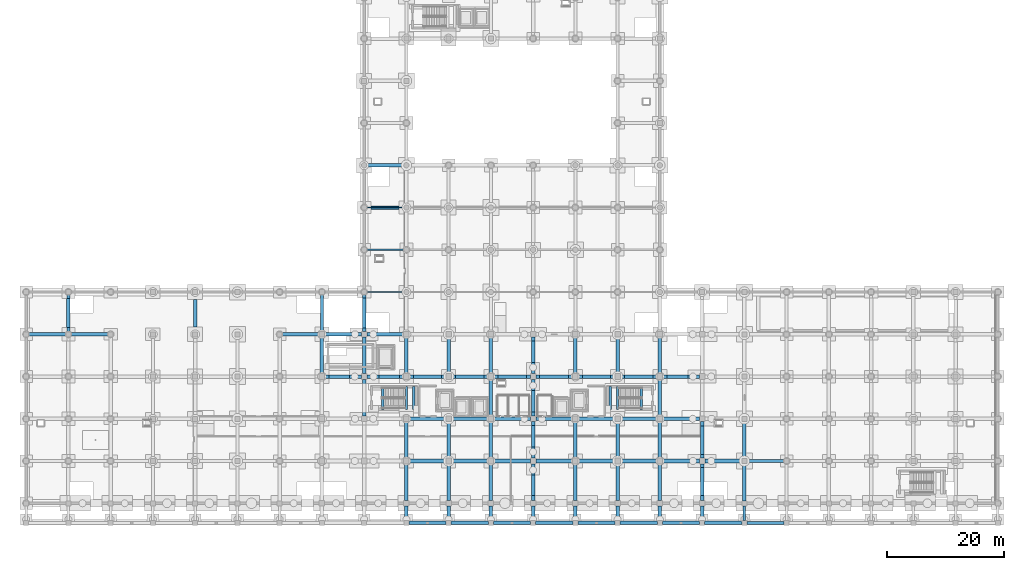
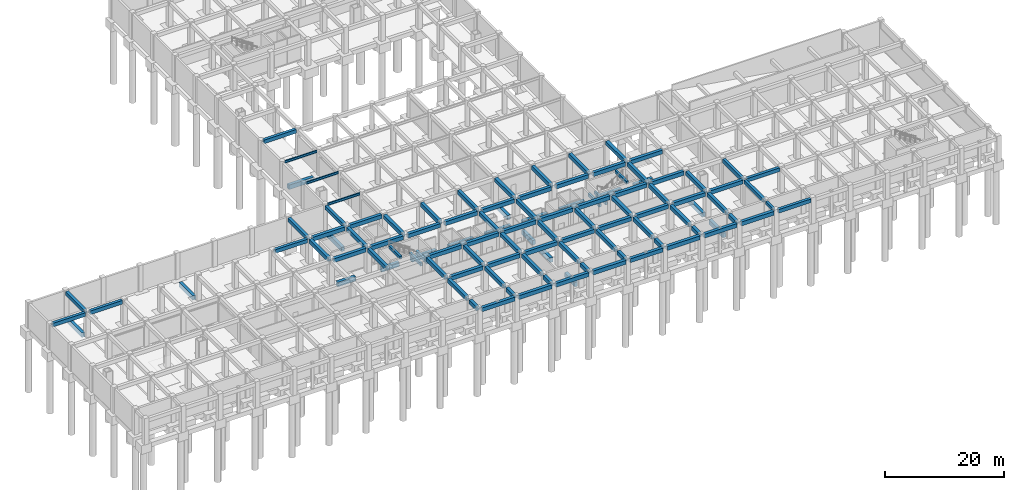
# One storey, part 9 of 26: 111 beams.
"""IFC4 building model written with IfcOpenShell, lengths in metres."""

from ifc_helpers import new_model, si_unit, direction, frame, origin, origin_2d, place, context, subcontext, project, spatial, rectangle, i_section, extrude, material, material_profile, profile_set, type_object, element, save


model = new_model("IFC4")

# Units and contexts
model_context = context("Model", 3, precision=1e-05, world=origin(), true_north=direction((0.0, 1.0)))
body_context = subcontext(model_context, "Body", "Model", "MODEL_VIEW")
ifc_project = project(units=[si_unit("LENGTHUNIT", "METRE"), si_unit("AREAUNIT", "SQUARE_METRE"), si_unit("VOLUMEUNIT", "CUBIC_METRE"), si_unit("PLANEANGLEUNIT", "RADIAN"), si_unit("MASSUNIT", "GRAM", prefix="KILO")], contexts=[model_context])

# Site, building, storey
site_placement = place(None, origin())
site = spatial("IfcSite", under=ifc_project, at=site_placement, CompositionType="ELEMENT")
building_placement = place(site_placement, origin())
building = spatial("IfcBuilding", under=site, at=building_placement, Name="Kazehaya Institute of Natural Sciences", CompositionType="ELEMENT")
storey_placement = place(building_placement, frame((0.0, 0.0, -5.39990234375)))
storey = spatial("IfcBuildingStorey", under=building, at=storey_placement, Name="B1", CompositionType="ELEMENT", Elevation=-5.39990234375)

# Beams
ifc_material_1 = material(Name="Concrete Fc36", Category="concrete")
ifc_material_profile_1 = material_profile(ifc_material_1, rectangle(XDim=0.39990234375, YDim=0.60009765625, at=origin_2d()), Name="RC-400x600")
ifc_profile_set_1 = profile_set([ifc_material_profile_1], Name="Concrete Fc36")
beam_type_1 = type_object("IfcBeamType", Name="BM-B-400x600", PredefinedType="BEAM", material=ifc_profile_set_1)
beam_1_placement = place(storey_placement, frame((126.60009765625, 3.875, 4.81982421875), z_axis=(0.0, 1.0, 0.0), x_axis=(-1.0, 0.0, 0.0)))
element("IfcBeam", 1, at=beam_1_placement, inside=storey, type_object=beam_type_1, Name="B1 primary Y girder BMY-B1-1266-34", PredefinedType="BEAM", context=body_context, shape_type="SweptSolid", body=[
    extrude(rectangle(XDim=0.39990234375, YDim=0.60009765625, at=origin_2d()), origin(), (0.0, 0.0, 1.0), 2.5),
])
for number, where, z_axis, x_axis, name in (
    (2, (65.0, 22.820068359375, 5.099853515625), (0.0, 1.0, 0.0), (-1.0, 0.0, 0.0), "L00 ST-1 stair header trimmer beam"),
    (3, (69.030029296875, 22.820068359375, 2.239990234375), (0.0, 1.0, 0.0), (-1.0, 0.0, 0.0), "B1 ST-1 landing beam 1"),
    (4, (70.25, 22.820068359375, 2.239990234375), (0.0, 1.0, 0.0), (-1.0, 0.0, 0.0), "B1 ST-1 landing beam 2"),
    (5, (109.0, 22.820068359375, 5.099853515625), (0.0, 1.0, 0.0), (-1.0, 0.0, 0.0), "L00 ST-2 stair header trimmer beam"),
    (6, (103.75, 22.820068359375, 2.239990234375), (0.0, 1.0, 0.0), (-1.0, 0.0, 0.0), "B1 ST-2 landing beam 1"),
    (7, (104.969970703125, 22.820068359375, 2.239990234375), (0.0, 1.0, 0.0), (-1.0, 0.0, 0.0), "B1 ST-2 landing beam 2"),
):
    element("IfcBeam", number, at=place(storey_placement, frame(where, z_axis=z_axis, x_axis=x_axis)), inside=storey, type_object=beam_type_1, Name=name, PredefinedType="BEAM", context=body_context, shape_type="SweptSolid", body=[
        extrude(rectangle(XDim=0.39990234375, YDim=0.60009765625, at=origin_2d()), origin(), (0.0, 0.0, 1.0), 3.83984375),
    ])
ifc_material_profile_2 = material_profile(ifc_material_1, rectangle(XDim=0.550048828125, YDim=0.75, at=origin_2d()), Name="RC-550x750")
ifc_profile_set_2 = profile_set([ifc_material_profile_2], Name="Concrete Fc36")
beam_type_2 = type_object("IfcBeamType", Name="BM-G-550x750", PredefinedType="BEAM", material=ifc_profile_set_2)
for number, where, z_axis, x_axis, name in (
    (8, (127.02490234375, 3.449951171875, 4.744873046875), (1.0, 0.0, 0.0), (0.0, 1.0, 0.0), "B1 primary X girder BMX-B1-1266-34"),
    (9, (127.02490234375, 14.0, 4.744873046875), (1.0, 0.0, 0.0), (0.0, 1.0, 0.0), "B1 primary X girder BMX-B1-1266-140"),
    (10, (4.625, 35.60009765625, 4.744873046875), (1.0, 0.0, 0.0), (0.0, 1.0, 0.0), "B1 primary X girder BMX-B1-42-356"),
    (11, (11.824951171875, 35.60009765625, 4.744873046875), (1.0, 0.0, 0.0), (0.0, 1.0, 0.0), "B1 primary X girder BMX-B1-114-356"),
):
    element("IfcBeam", number, at=place(storey_placement, frame(where, z_axis=z_axis, x_axis=x_axis)), inside=storey, type_object=beam_type_2, Name=name, PredefinedType="BEAM", context=body_context, shape_type="SweptSolid", body=[
        extrude(rectangle(XDim=0.550048828125, YDim=0.75, at=origin_2d()), origin(), (0.0, 0.0, 1.0), 6.35009765625),
    ])
for number, where, z_axis, x_axis, name in (
    (12, (47.824951171875, 35.60009765625, 4.744873046875), (1.0, 0.0, 0.0), (0.0, 1.0, 0.0), "B1 primary X girder BMX-B1-474-356"),
    (13, (62.25, 64.39990234375, 4.744873046875), (1.0, 0.0, 0.0), (0.0, 1.0, 0.0), "B1 primary X girder BMX-B1-618-644"),
):
    element("IfcBeam", number, at=place(storey_placement, frame(where, z_axis=z_axis, x_axis=x_axis)), inside=storey, type_object=beam_type_2, Name=name, PredefinedType="BEAM", context=body_context, shape_type="SweptSolid", body=[
        extrude(rectangle(XDim=0.550048828125, YDim=0.75, at=origin_2d()), origin(), (0.0, 0.0, 1.0), 6.300048828125),
    ])
beam_2_placement = place(storey_placement, frame((11.39990234375, 36.02490234375, 4.744873046875), z_axis=(0.0, 1.0, 0.0), x_axis=(-1.0, 0.0, 0.0)))
element("IfcBeam", 14, at=beam_2_placement, inside=storey, type_object=beam_type_2, Name="B1 primary Y girder BMY-B1-114-356", PredefinedType="BEAM", context=body_context, shape_type="SweptSolid", body=[
    extrude(rectangle(XDim=0.550048828125, YDim=0.75, at=origin_2d()), origin(), (0.0, 0.0, 1.0), 6.35009765625),
])
beam_3_placement = place(storey_placement, frame((54.60009765625, 36.074951171875, 4.744873046875), z_axis=(0.0, 1.0, 0.0), x_axis=(-1.0, 0.0, 0.0)))
element("IfcBeam", 15, at=beam_3_placement, inside=storey, type_object=beam_type_2, Name="B1 primary Y girder BMY-B1-546-356", PredefinedType="BEAM", context=body_context, shape_type="SweptSolid", body=[
    extrude(rectangle(XDim=0.550048828125, YDim=0.75, at=origin_2d()), origin(), (0.0, 0.0, 1.0), 6.300048828125),
])
beam_4_placement = place(storey_placement, frame((61.800048828125, 36.074951171875, 4.744873046875), z_axis=(0.0, 1.0, 0.0), x_axis=(-1.0, 0.0, 0.0)))
element("IfcBeam", 16, at=beam_4_placement, inside=storey, type_object=beam_type_2, Name="B1 primary Y girder BMY-B1-618-356", PredefinedType="BEAM", context=body_context, shape_type="SweptSolid", body=[
    extrude(rectangle(XDim=0.550048828125, YDim=0.75, at=origin_2d()), origin(), (0.0, 0.0, 1.0), 6.275146484375),
])
for number, where, z_axis, x_axis, name in (
    (17, (126.60009765625, 7.22509765625, 4.744873046875), (0.0, 1.0, 0.0), (-1.0, 0.0, 0.0), "B1 primary Y girder BMY-B1-1266-68"),
    (18, (126.60009765625, 14.425048828125, 4.744873046875), (0.0, 1.0, 0.0), (-1.0, 0.0, 0.0), "B1 primary Y girder BMY-B1-1266-140"),
):
    element("IfcBeam", number, at=place(storey_placement, frame(where, z_axis=z_axis, x_axis=x_axis)), inside=storey, type_object=beam_type_2, Name=name, PredefinedType="BEAM", context=body_context, shape_type="SweptSolid", body=[
        extrude(rectangle(XDim=0.550048828125, YDim=0.75, at=origin_2d()), origin(), (0.0, 0.0, 1.0), 6.349853515625),
    ])
ifc_material_profile_3 = material_profile(ifc_material_1, rectangle(XDim=0.60009765625, YDim=0.800048828125, at=origin_2d()), Name="RC-600x800")
ifc_profile_set_3 = profile_set([ifc_material_profile_3], Name="Concrete Fc36")
beam_type_3 = type_object("IfcBeamType", Name="BM-G-600x800", PredefinedType="BEAM", material=ifc_profile_set_3)
beam_5_placement = place(storey_placement, frame((69.425048828125, 3.449951171875, 4.719970703125), z_axis=(1.0, 0.0, 0.0), x_axis=(0.0, 1.0, 0.0)))
element("IfcBeam", 19, at=beam_5_placement, inside=storey, type_object=beam_type_3, Name="B1 primary X girder BMX-B1-690-34", PredefinedType="BEAM", context=body_context, shape_type="SweptSolid", body=[
    extrude(rectangle(XDim=0.60009765625, YDim=0.800048828125, at=origin_2d()), origin(), (0.0, 0.0, 1.0), 6.349853515625),
])
for number, where, z_axis, x_axis, name in (
    (20, (76.625, 3.449951171875, 4.719970703125), (1.0, 0.0, 0.0), (0.0, 1.0, 0.0), "B1 primary X girder BMX-B1-762-34"),
    (21, (83.824951171875, 3.449951171875, 4.719970703125), (1.0, 0.0, 0.0), (0.0, 1.0, 0.0), "B1 primary X girder BMX-B1-834-34"),
    (22, (91.02490234375, 3.449951171875, 4.719970703125), (1.0, 0.0, 0.0), (0.0, 1.0, 0.0), "B1 primary X girder BMX-B1-906-34"),
):
    element("IfcBeam", number, at=place(storey_placement, frame(where, z_axis=z_axis, x_axis=x_axis)), inside=storey, type_object=beam_type_3, Name=name, PredefinedType="BEAM", context=body_context, shape_type="SweptSolid", body=[
        extrude(rectangle(XDim=0.60009765625, YDim=0.800048828125, at=origin_2d()), origin(), (0.0, 0.0, 1.0), 6.35009765625),
    ])
for number, where, z_axis, x_axis, name in (
    (23, (98.22509765625, 3.449951171875, 4.719970703125), (1.0, 0.0, 0.0), (0.0, 1.0, 0.0), "B1 primary X girder BMX-B1-978-34"),
    (24, (105.425048828125, 3.449951171875, 4.719970703125), (1.0, 0.0, 0.0), (0.0, 1.0, 0.0), "B1 primary X girder BMX-B1-1050-34"),
):
    element("IfcBeam", number, at=place(storey_placement, frame(where, z_axis=z_axis, x_axis=x_axis)), inside=storey, type_object=beam_type_3, Name=name, PredefinedType="BEAM", context=body_context, shape_type="SweptSolid", body=[
        extrude(rectangle(XDim=0.60009765625, YDim=0.800048828125, at=origin_2d()), origin(), (0.0, 0.0, 1.0), 6.349853515625),
    ])
for number, where, z_axis, x_axis, name in (
    (25, (112.625, 3.449951171875, 4.719970703125), (1.0, 0.0, 0.0), (0.0, 1.0, 0.0), "B1 primary X girder BMX-B1-1122-34"),
    (26, (119.824951171875, 3.449951171875, 4.719970703125), (1.0, 0.0, 0.0), (0.0, 1.0, 0.0), "B1 primary X girder BMX-B1-1194-34"),
):
    element("IfcBeam", number, at=place(storey_placement, frame(where, z_axis=z_axis, x_axis=x_axis)), inside=storey, type_object=beam_type_3, Name=name, PredefinedType="BEAM", context=body_context, shape_type="SweptSolid", body=[
        extrude(rectangle(XDim=0.60009765625, YDim=0.800048828125, at=origin_2d()), origin(), (0.0, 0.0, 1.0), 6.35009765625),
    ])
for number, where, z_axis, x_axis, name in (
    (27, (69.47509765625, 14.0, 4.719970703125), (1.0, 0.0, 0.0), (0.0, 1.0, 0.0), "B1 primary X girder BMX-B1-690-140"),
    (28, (76.675048828125, 14.0, 4.719970703125), (1.0, 0.0, 0.0), (0.0, 1.0, 0.0), "B1 primary X girder BMX-B1-762-140"),
    (29, (83.875, 14.0, 4.719970703125), (1.0, 0.0, 0.0), (0.0, 1.0, 0.0), "B1 primary X girder BMX-B1-834-140"),
    (30, (91.074951171875, 14.0, 4.719970703125), (1.0, 0.0, 0.0), (0.0, 1.0, 0.0), "B1 primary X girder BMX-B1-906-140"),
    (31, (98.27490234375, 14.0, 4.719970703125), (1.0, 0.0, 0.0), (0.0, 1.0, 0.0), "B1 primary X girder BMX-B1-978-140"),
    (32, (105.47509765625, 14.0, 4.719970703125), (1.0, 0.0, 0.0), (0.0, 1.0, 0.0), "B1 primary X girder BMX-B1-1050-140"),
    (33, (112.675048828125, 14.0, 4.719970703125), (1.0, 0.0, 0.0), (0.0, 1.0, 0.0), "B1 primary X girder BMX-B1-1122-140"),
):
    element("IfcBeam", number, at=place(storey_placement, frame(where, z_axis=z_axis, x_axis=x_axis)), inside=storey, type_object=beam_type_3, Name=name, PredefinedType="BEAM", context=body_context, shape_type="SweptSolid", body=[
        extrude(rectangle(XDim=0.60009765625, YDim=0.800048828125, at=origin_2d()), origin(), (0.0, 0.0, 1.0), 6.25),
    ])
beam_6_placement = place(storey_placement, frame((119.875, 14.0, 4.719970703125), z_axis=(1.0, 0.0, 0.0), x_axis=(0.0, 1.0, 0.0)))
element("IfcBeam", 34, at=beam_6_placement, inside=storey, type_object=beam_type_3, Name="B1 primary X girder BMX-B1-1194-140", PredefinedType="BEAM", context=body_context, shape_type="SweptSolid", body=[
    extrude(rectangle(XDim=0.60009765625, YDim=0.800048828125, at=origin_2d()), origin(), (0.0, 0.0, 1.0), 6.300048828125),
])
for number, where, z_axis, x_axis, name in (
    (35, (69.47509765625, 21.199951171875, 4.719970703125), (1.0, 0.0, 0.0), (0.0, 1.0, 0.0), "B1 primary X girder BMX-B1-690-212"),
    (36, (76.675048828125, 21.199951171875, 4.719970703125), (1.0, 0.0, 0.0), (0.0, 1.0, 0.0), "B1 primary X girder BMX-B1-762-212"),
    (37, (83.875, 21.199951171875, 4.719970703125), (1.0, 0.0, 0.0), (0.0, 1.0, 0.0), "B1 primary X girder BMX-B1-834-212"),
    (38, (91.074951171875, 21.199951171875, 4.719970703125), (1.0, 0.0, 0.0), (0.0, 1.0, 0.0), "B1 primary X girder BMX-B1-906-212"),
    (39, (98.27490234375, 21.199951171875, 4.719970703125), (1.0, 0.0, 0.0), (0.0, 1.0, 0.0), "B1 primary X girder BMX-B1-978-212"),
    (40, (105.47509765625, 21.199951171875, 4.719970703125), (1.0, 0.0, 0.0), (0.0, 1.0, 0.0), "B1 primary X girder BMX-B1-1050-212"),
    (41, (112.675048828125, 21.199951171875, 4.719970703125), (1.0, 0.0, 0.0), (0.0, 1.0, 0.0), "B1 primary X girder BMX-B1-1122-212"),
    (42, (55.074951171875, 28.39990234375, 4.719970703125), (1.0, 0.0, 0.0), (0.0, 1.0, 0.0), "B1 primary X girder BMX-B1-546-284"),
    (43, (62.27490234375, 28.39990234375, 4.719970703125), (1.0, 0.0, 0.0), (0.0, 1.0, 0.0), "B1 primary X girder BMX-B1-618-284"),
    (44, (69.47509765625, 28.39990234375, 4.719970703125), (1.0, 0.0, 0.0), (0.0, 1.0, 0.0), "B1 primary X girder BMX-B1-690-284"),
    (45, (76.675048828125, 28.39990234375, 4.719970703125), (1.0, 0.0, 0.0), (0.0, 1.0, 0.0), "B1 primary X girder BMX-B1-762-284"),
    (46, (83.875, 28.39990234375, 4.719970703125), (1.0, 0.0, 0.0), (0.0, 1.0, 0.0), "B1 primary X girder BMX-B1-834-284"),
    (47, (91.074951171875, 28.39990234375, 4.719970703125), (1.0, 0.0, 0.0), (0.0, 1.0, 0.0), "B1 primary X girder BMX-B1-906-284"),
    (48, (98.27490234375, 28.39990234375, 4.719970703125), (1.0, 0.0, 0.0), (0.0, 1.0, 0.0), "B1 primary X girder BMX-B1-978-284"),
    (49, (105.47509765625, 28.39990234375, 4.719970703125), (1.0, 0.0, 0.0), (0.0, 1.0, 0.0), "B1 primary X girder BMX-B1-1050-284"),
    (50, (112.675048828125, 28.39990234375, 4.719970703125), (1.0, 0.0, 0.0), (0.0, 1.0, 0.0), "B1 primary X girder BMX-B1-1122-284"),
    (51, (55.074951171875, 35.60009765625, 4.719970703125), (1.0, 0.0, 0.0), (0.0, 1.0, 0.0), "B1 primary X girder BMX-B1-546-356"),
    (52, (62.27490234375, 35.60009765625, 4.719970703125), (1.0, 0.0, 0.0), (0.0, 1.0, 0.0), "B1 primary X girder BMX-B1-618-356"),
    (53, (54.60009765625, 28.875, 4.719970703125), (0.0, 1.0, 0.0), (-1.0, 0.0, 0.0), "B1 primary Y girder BMY-B1-546-284"),
    (54, (61.800048828125, 21.675048828125, 4.719970703125), (0.0, 1.0, 0.0), (-1.0, 0.0, 0.0), "B1 primary Y girder BMY-B1-618-212"),
    (55, (61.800048828125, 28.875, 4.719970703125), (0.0, 1.0, 0.0), (-1.0, 0.0, 0.0), "B1 primary Y girder BMY-B1-618-284"),
):
    element("IfcBeam", number, at=place(storey_placement, frame(where, z_axis=z_axis, x_axis=x_axis)), inside=storey, type_object=beam_type_3, Name=name, PredefinedType="BEAM", context=body_context, shape_type="SweptSolid", body=[
        extrude(rectangle(XDim=0.60009765625, YDim=0.800048828125, at=origin_2d()), origin(), (0.0, 0.0, 1.0), 6.25),
    ])
beam_7_placement = place(storey_placement, frame((69.0, 3.875, 4.719970703125), z_axis=(0.0, 1.0, 0.0), x_axis=(-1.0, 0.0, 0.0)))
element("IfcBeam", 56, at=beam_7_placement, inside=storey, type_object=beam_type_3, Name="B1 primary Y girder BMY-B1-690-34", PredefinedType="BEAM", context=body_context, shape_type="SweptSolid", body=[
    extrude(rectangle(XDim=0.60009765625, YDim=0.800048828125, at=origin_2d()), origin(), (0.0, 0.0, 1.0), 2.449951171875),
])
for number, where, z_axis, x_axis, name in (
    (57, (69.0, 7.27490234375, 4.719970703125), (0.0, 1.0, 0.0), (-1.0, 0.0, 0.0), "B1 primary Y girder BMY-B1-690-68"),
    (58, (69.0, 14.47509765625, 4.719970703125), (0.0, 1.0, 0.0), (-1.0, 0.0, 0.0), "B1 primary Y girder BMY-B1-690-140"),
    (59, (69.0, 28.875, 4.719970703125), (0.0, 1.0, 0.0), (-1.0, 0.0, 0.0), "B1 primary Y girder BMY-B1-690-284"),
):
    element("IfcBeam", number, at=place(storey_placement, frame(where, z_axis=z_axis, x_axis=x_axis)), inside=storey, type_object=beam_type_3, Name=name, PredefinedType="BEAM", context=body_context, shape_type="SweptSolid", body=[
        extrude(rectangle(XDim=0.60009765625, YDim=0.800048828125, at=origin_2d()), origin(), (0.0, 0.0, 1.0), 6.25),
    ])
beam_8_placement = place(storey_placement, frame((76.199951171875, 3.875, 4.719970703125), z_axis=(0.0, 1.0, 0.0), x_axis=(-1.0, 0.0, 0.0)))
element("IfcBeam", 60, at=beam_8_placement, inside=storey, type_object=beam_type_3, Name="B1 primary Y girder BMY-B1-762-34", PredefinedType="BEAM", context=body_context, shape_type="SweptSolid", body=[
    extrude(rectangle(XDim=0.60009765625, YDim=0.800048828125, at=origin_2d()), origin(), (0.0, 0.0, 1.0), 2.449951171875),
])
for number, where, z_axis, x_axis, name in (
    (61, (76.199951171875, 7.27490234375, 4.719970703125), (0.0, 1.0, 0.0), (-1.0, 0.0, 0.0), "B1 primary Y girder BMY-B1-762-68"),
    (62, (76.199951171875, 14.47509765625, 4.719970703125), (0.0, 1.0, 0.0), (-1.0, 0.0, 0.0), "B1 primary Y girder BMY-B1-762-140"),
    (63, (76.199951171875, 28.875, 4.719970703125), (0.0, 1.0, 0.0), (-1.0, 0.0, 0.0), "B1 primary Y girder BMY-B1-762-284"),
):
    element("IfcBeam", number, at=place(storey_placement, frame(where, z_axis=z_axis, x_axis=x_axis)), inside=storey, type_object=beam_type_3, Name=name, PredefinedType="BEAM", context=body_context, shape_type="SweptSolid", body=[
        extrude(rectangle(XDim=0.60009765625, YDim=0.800048828125, at=origin_2d()), origin(), (0.0, 0.0, 1.0), 6.25),
    ])
beam_9_placement = place(storey_placement, frame((83.39990234375, 3.875, 4.719970703125), z_axis=(0.0, 1.0, 0.0), x_axis=(-1.0, 0.0, 0.0)))
element("IfcBeam", 64, at=beam_9_placement, inside=storey, type_object=beam_type_3, Name="B1 primary Y girder BMY-B1-834-34", PredefinedType="BEAM", context=body_context, shape_type="SweptSolid", body=[
    extrude(rectangle(XDim=0.60009765625, YDim=0.800048828125, at=origin_2d()), origin(), (0.0, 0.0, 1.0), 2.449951171875),
])
for number, where, z_axis, x_axis, name in (
    (65, (83.39990234375, 7.27490234375, 4.719970703125), (0.0, 1.0, 0.0), (-1.0, 0.0, 0.0), "B1 primary Y girder BMY-B1-834-68"),
    (66, (83.39990234375, 14.47509765625, 4.719970703125), (0.0, 1.0, 0.0), (-1.0, 0.0, 0.0), "B1 primary Y girder BMY-B1-834-140"),
    (67, (83.39990234375, 21.675048828125, 4.719970703125), (0.0, 1.0, 0.0), (-1.0, 0.0, 0.0), "B1 primary Y girder BMY-B1-834-212"),
    (68, (83.39990234375, 28.875, 4.719970703125), (0.0, 1.0, 0.0), (-1.0, 0.0, 0.0), "B1 primary Y girder BMY-B1-834-284"),
):
    element("IfcBeam", number, at=place(storey_placement, frame(where, z_axis=z_axis, x_axis=x_axis)), inside=storey, type_object=beam_type_3, Name=name, PredefinedType="BEAM", context=body_context, shape_type="SweptSolid", body=[
        extrude(rectangle(XDim=0.60009765625, YDim=0.800048828125, at=origin_2d()), origin(), (0.0, 0.0, 1.0), 6.25),
    ])
beam_10_placement = place(storey_placement, frame((90.60009765625, 3.875, 4.719970703125), z_axis=(0.0, 1.0, 0.0), x_axis=(-1.0, 0.0, 0.0)))
element("IfcBeam", 69, at=beam_10_placement, inside=storey, type_object=beam_type_3, Name="B1 primary Y girder BMY-B1-906-34", PredefinedType="BEAM", context=body_context, shape_type="SweptSolid", body=[
    extrude(rectangle(XDim=0.60009765625, YDim=0.800048828125, at=origin_2d()), origin(), (0.0, 0.0, 1.0), 2.449951171875),
])
for number, where, z_axis, x_axis, name in (
    (70, (90.60009765625, 7.27490234375, 4.719970703125), (0.0, 1.0, 0.0), (-1.0, 0.0, 0.0), "B1 primary Y girder BMY-B1-906-68"),
    (71, (90.60009765625, 14.47509765625, 4.719970703125), (0.0, 1.0, 0.0), (-1.0, 0.0, 0.0), "B1 primary Y girder BMY-B1-906-140"),
    (72, (90.60009765625, 21.675048828125, 4.719970703125), (0.0, 1.0, 0.0), (-1.0, 0.0, 0.0), "B1 primary Y girder BMY-B1-906-212"),
    (73, (90.60009765625, 28.875, 4.719970703125), (0.0, 1.0, 0.0), (-1.0, 0.0, 0.0), "B1 primary Y girder BMY-B1-906-284"),
):
    element("IfcBeam", number, at=place(storey_placement, frame(where, z_axis=z_axis, x_axis=x_axis)), inside=storey, type_object=beam_type_3, Name=name, PredefinedType="BEAM", context=body_context, shape_type="SweptSolid", body=[
        extrude(rectangle(XDim=0.60009765625, YDim=0.800048828125, at=origin_2d()), origin(), (0.0, 0.0, 1.0), 6.25),
    ])
beam_11_placement = place(storey_placement, frame((97.800048828125, 3.875, 4.719970703125), z_axis=(0.0, 1.0, 0.0), x_axis=(-1.0, 0.0, 0.0)))
element("IfcBeam", 74, at=beam_11_placement, inside=storey, type_object=beam_type_3, Name="B1 primary Y girder BMY-B1-978-34", PredefinedType="BEAM", context=body_context, shape_type="SweptSolid", body=[
    extrude(rectangle(XDim=0.60009765625, YDim=0.800048828125, at=origin_2d()), origin(), (0.0, 0.0, 1.0), 2.449951171875),
])
for number, where, z_axis, x_axis, name in (
    (75, (97.800048828125, 7.27490234375, 4.719970703125), (0.0, 1.0, 0.0), (-1.0, 0.0, 0.0), "B1 primary Y girder BMY-B1-978-68"),
    (76, (97.800048828125, 14.47509765625, 4.719970703125), (0.0, 1.0, 0.0), (-1.0, 0.0, 0.0), "B1 primary Y girder BMY-B1-978-140"),
    (77, (97.800048828125, 28.875, 4.719970703125), (0.0, 1.0, 0.0), (-1.0, 0.0, 0.0), "B1 primary Y girder BMY-B1-978-284"),
):
    element("IfcBeam", number, at=place(storey_placement, frame(where, z_axis=z_axis, x_axis=x_axis)), inside=storey, type_object=beam_type_3, Name=name, PredefinedType="BEAM", context=body_context, shape_type="SweptSolid", body=[
        extrude(rectangle(XDim=0.60009765625, YDim=0.800048828125, at=origin_2d()), origin(), (0.0, 0.0, 1.0), 6.25),
    ])
beam_12_placement = place(storey_placement, frame((105.0, 3.875, 4.719970703125), z_axis=(0.0, 1.0, 0.0), x_axis=(-1.0, 0.0, 0.0)))
element("IfcBeam", 78, at=beam_12_placement, inside=storey, type_object=beam_type_3, Name="B1 primary Y girder BMY-B1-1050-34", PredefinedType="BEAM", context=body_context, shape_type="SweptSolid", body=[
    extrude(rectangle(XDim=0.60009765625, YDim=0.800048828125, at=origin_2d()), origin(), (0.0, 0.0, 1.0), 2.449951171875),
])
for number, where, z_axis, x_axis, name in (
    (79, (105.0, 7.27490234375, 4.719970703125), (0.0, 1.0, 0.0), (-1.0, 0.0, 0.0), "B1 primary Y girder BMY-B1-1050-68"),
    (80, (105.0, 14.47509765625, 4.719970703125), (0.0, 1.0, 0.0), (-1.0, 0.0, 0.0), "B1 primary Y girder BMY-B1-1050-140"),
    (81, (105.0, 28.875, 4.719970703125), (0.0, 1.0, 0.0), (-1.0, 0.0, 0.0), "B1 primary Y girder BMY-B1-1050-284"),
):
    element("IfcBeam", number, at=place(storey_placement, frame(where, z_axis=z_axis, x_axis=x_axis)), inside=storey, type_object=beam_type_3, Name=name, PredefinedType="BEAM", context=body_context, shape_type="SweptSolid", body=[
        extrude(rectangle(XDim=0.60009765625, YDim=0.800048828125, at=origin_2d()), origin(), (0.0, 0.0, 1.0), 6.25),
    ])
beam_13_placement = place(storey_placement, frame((112.199951171875, 3.875, 4.719970703125), z_axis=(0.0, 1.0, 0.0), x_axis=(-1.0, 0.0, 0.0)))
element("IfcBeam", 82, at=beam_13_placement, inside=storey, type_object=beam_type_3, Name="B1 primary Y girder BMY-B1-1122-34", PredefinedType="BEAM", context=body_context, shape_type="SweptSolid", body=[
    extrude(rectangle(XDim=0.60009765625, YDim=0.800048828125, at=origin_2d()), origin(), (0.0, 0.0, 1.0), 2.449951171875),
])
for number, where, z_axis, x_axis, name in (
    (83, (112.199951171875, 7.27490234375, 4.719970703125), (0.0, 1.0, 0.0), (-1.0, 0.0, 0.0), "B1 primary Y girder BMY-B1-1122-68"),
    (84, (112.199951171875, 14.47509765625, 4.719970703125), (0.0, 1.0, 0.0), (-1.0, 0.0, 0.0), "B1 primary Y girder BMY-B1-1122-140"),
    (85, (112.199951171875, 21.675048828125, 4.719970703125), (0.0, 1.0, 0.0), (-1.0, 0.0, 0.0), "B1 primary Y girder BMY-B1-1122-212"),
    (86, (112.199951171875, 28.875, 4.719970703125), (0.0, 1.0, 0.0), (-1.0, 0.0, 0.0), "B1 primary Y girder BMY-B1-1122-284"),
):
    element("IfcBeam", number, at=place(storey_placement, frame(where, z_axis=z_axis, x_axis=x_axis)), inside=storey, type_object=beam_type_3, Name=name, PredefinedType="BEAM", context=body_context, shape_type="SweptSolid", body=[
        extrude(rectangle(XDim=0.60009765625, YDim=0.800048828125, at=origin_2d()), origin(), (0.0, 0.0, 1.0), 6.25),
    ])
beam_14_placement = place(storey_placement, frame((119.39990234375, 3.875, 4.719970703125), z_axis=(0.0, 1.0, 0.0), x_axis=(-1.0, 0.0, 0.0)))
element("IfcBeam", 87, at=beam_14_placement, inside=storey, type_object=beam_type_3, Name="B1 primary Y girder BMY-B1-1194-34", PredefinedType="BEAM", context=body_context, shape_type="SweptSolid", body=[
    extrude(rectangle(XDim=0.60009765625, YDim=0.800048828125, at=origin_2d()), origin(), (0.0, 0.0, 1.0), 2.449951171875),
])
for number, where, z_axis, x_axis, name in (
    (88, (119.39990234375, 7.27490234375, 4.719970703125), (0.0, 1.0, 0.0), (-1.0, 0.0, 0.0), "B1 primary Y girder BMY-B1-1194-68"),
    (89, (119.39990234375, 14.47509765625, 4.719970703125), (0.0, 1.0, 0.0), (-1.0, 0.0, 0.0), "B1 primary Y girder BMY-B1-1194-140"),
):
    element("IfcBeam", number, at=place(storey_placement, frame(where, z_axis=z_axis, x_axis=x_axis)), inside=storey, type_object=beam_type_3, Name=name, PredefinedType="BEAM", context=body_context, shape_type="SweptSolid", body=[
        extrude(rectangle(XDim=0.60009765625, YDim=0.800048828125, at=origin_2d()), origin(), (0.0, 0.0, 1.0), 6.25),
    ])
ifc_material_2 = material(Name="Structural steel SN490B", Category="steel")
ifc_material_profile_4 = material_profile(ifc_material_2, i_section(OverallWidth=0.199951171875, OverallDepth=0.5, WebThickness=0.010009765625, FlangeThickness=0.01611328125, FilletRadius=0.01611328125, at=origin_2d()), Name="H-500x200x10x16")
ifc_profile_set_4 = profile_set([ifc_material_profile_4], Name="Structural steel SN490B")
beam_type_4 = type_object("IfcBeamType", Name="BM-STL-H500", PredefinedType="BEAM", material=ifc_profile_set_4)
for number, where, z_axis, x_axis, name in (
    (90, (62.25, 42.800048828125, 4.869873046875), (1.0, 0.0, 0.0), (0.0, 1.0, 0.0), "B1 primary X girder BMX-B1-618-428"),
    (91, (62.25, 50.0, 4.869873046875), (1.0, 0.0, 0.0), (0.0, 1.0, 0.0), "B1 primary X girder BMX-B1-618-500"),
    (92, (62.25, 57.199951171875, 4.869873046875), (1.0, 0.0, 0.0), (0.0, 1.0, 0.0), "B1 primary X girder BMX-B1-618-572"),
):
    element("IfcBeam", number, at=place(storey_placement, frame(where, z_axis=z_axis, x_axis=x_axis)), inside=storey, type_object=beam_type_4, Name=name, PredefinedType="BEAM", context=body_context, shape_type="SweptSolid", body=[
        extrude(i_section(OverallWidth=0.199951171875, OverallDepth=0.5, WebThickness=0.010009765625, FlangeThickness=0.01611328125, FilletRadius=0.01611328125, at=origin_2d()), origin(), (0.0, 0.0, 1.0), 6.300048828125),
    ])
ifc_material_profile_5 = material_profile(ifc_material_1, rectangle(XDim=0.60009765625, YDim=0.89990234375, at=origin_2d()), Name="RC-600x900")
ifc_profile_set_5 = profile_set([ifc_material_profile_5], Name="Concrete Fc36")
beam_type_5 = type_object("IfcBeamType", Name="BM-TB-600x900", PredefinedType="T_BEAM", material=ifc_profile_set_5)
for number, where, z_axis, x_axis, name in (
    (93, (55.800048828125, 28.39990234375, -0.4501953125), (1.0, 0.0, 0.0), (0.0, 1.0, 0.0), "Foundation tie beam TB-X-008"),
    (94, (64.300048828125, 28.39990234375, -0.4501953125), (1.0, 0.0, 0.0), (0.0, 1.0, 0.0), "Foundation tie beam TB-X-009"),
):
    element("IfcBeam", number, at=place(storey_placement, frame(where, z_axis=z_axis, x_axis=x_axis)), inside=storey, type_object=beam_type_5, Name=name, PredefinedType="T_BEAM", context=body_context, shape_type="SweptSolid", body=[
        extrude(rectangle(XDim=0.60009765625, YDim=0.89990234375, at=origin_2d()), origin(), (0.0, 0.0, 1.0), 3.5),
    ])
for number, where, z_axis, x_axis, name in (
    (95, (70.199951171875, 28.39990234375, -0.4501953125), (1.0, 0.0, 0.0), (0.0, 1.0, 0.0), "Foundation tie beam TB-X-010"),
    (96, (77.39990234375, 28.39990234375, -0.4501953125), (1.0, 0.0, 0.0), (0.0, 1.0, 0.0), "Foundation tie beam TB-X-011"),
):
    element("IfcBeam", number, at=place(storey_placement, frame(where, z_axis=z_axis, x_axis=x_axis)), inside=storey, type_object=beam_type_5, Name=name, PredefinedType="T_BEAM", context=body_context, shape_type="SweptSolid", body=[
        extrude(rectangle(XDim=0.60009765625, YDim=0.89990234375, at=origin_2d()), origin(), (0.0, 0.0, 1.0), 4.800048828125),
    ])
beam_15_placement = place(storey_placement, frame((84.60009765625, 28.39990234375, -0.4501953125), z_axis=(1.0, 0.0, 0.0), x_axis=(0.0, 1.0, 0.0)))
element("IfcBeam", 97, at=beam_15_placement, inside=storey, type_object=beam_type_5, Name="Foundation tie beam TB-X-012", PredefinedType="T_BEAM", context=body_context, shape_type="SweptSolid", body=[
    extrude(rectangle(XDim=0.60009765625, YDim=0.89990234375, at=origin_2d()), origin(), (0.0, 0.0, 1.0), 4.89990234375),
])
beam_16_placement = place(storey_placement, frame((91.699951171875, 28.39990234375, -0.4501953125), z_axis=(1.0, 0.0, 0.0), x_axis=(0.0, 1.0, 0.0)))
element("IfcBeam", 98, at=beam_16_placement, inside=storey, type_object=beam_type_5, Name="Foundation tie beam TB-X-013", PredefinedType="T_BEAM", context=body_context, shape_type="SweptSolid", body=[
    extrude(rectangle(XDim=0.60009765625, YDim=0.89990234375, at=origin_2d()), origin(), (0.0, 0.0, 1.0), 4.900146484375),
])
for number, where, z_axis, x_axis, name in (
    (99, (99.0, 28.39990234375, -0.4501953125), (1.0, 0.0, 0.0), (0.0, 1.0, 0.0), "Foundation tie beam TB-X-014"),
    (100, (106.199951171875, 28.39990234375, -0.4501953125), (1.0, 0.0, 0.0), (0.0, 1.0, 0.0), "Foundation tie beam TB-X-015"),
):
    element("IfcBeam", number, at=place(storey_placement, frame(where, z_axis=z_axis, x_axis=x_axis)), inside=storey, type_object=beam_type_5, Name=name, PredefinedType="T_BEAM", context=body_context, shape_type="SweptSolid", body=[
        extrude(rectangle(XDim=0.60009765625, YDim=0.89990234375, at=origin_2d()), origin(), (0.0, 0.0, 1.0), 4.800048828125),
    ])
beam_17_placement = place(storey_placement, frame((113.39990234375, 28.39990234375, -0.4501953125), z_axis=(1.0, 0.0, 0.0), x_axis=(0.0, 1.0, 0.0)))
element("IfcBeam", 101, at=beam_17_placement, inside=storey, type_object=beam_type_5, Name="Foundation tie beam TB-X-016", PredefinedType="T_BEAM", context=body_context, shape_type="SweptSolid", body=[
    extrude(rectangle(XDim=0.60009765625, YDim=0.89990234375, at=origin_2d()), origin(), (0.0, 0.0, 1.0), 3.60009765625),
])
beam_18_placement = place(storey_placement, frame((62.949951171875, 57.199951171875, -0.4501953125), z_axis=(1.0, 0.0, 0.0), x_axis=(0.0, 1.0, 0.0)))
element("IfcBeam", 102, at=beam_18_placement, inside=storey, type_object=beam_type_5, Name="Foundation tie beam TB-X-024", PredefinedType="T_BEAM", context=body_context, shape_type="SweptSolid", body=[
    extrude(rectangle(XDim=0.60009765625, YDim=0.89990234375, at=origin_2d()), origin(), (0.0, 0.0, 1.0), 4.800048828125),
])
beam_19_placement = place(storey_placement, frame((11.39990234375, 36.72509765625, -0.4501953125), z_axis=(0.0, 1.0, 0.0), x_axis=(-1.0, 0.0, 0.0)))
element("IfcBeam", 103, at=beam_19_placement, inside=storey, type_object=beam_type_5, Name="Foundation tie beam TB-Y-042", PredefinedType="T_BEAM", context=body_context, shape_type="SweptSolid", body=[
    extrude(rectangle(XDim=0.60009765625, YDim=0.89990234375, at=origin_2d()), origin(), (0.0, 0.0, 1.0), 4.949951171875),
])
beam_20_placement = place(storey_placement, frame((33.0, 36.875, -0.4501953125), z_axis=(0.0, 1.0, 0.0), x_axis=(-1.0, 0.0, 0.0)))
element("IfcBeam", 104, at=beam_20_placement, inside=storey, type_object=beam_type_5, Name="Foundation tie beam TB-Y-047", PredefinedType="T_BEAM", context=body_context, shape_type="SweptSolid", body=[
    extrude(rectangle(XDim=0.60009765625, YDim=0.89990234375, at=origin_2d()), origin(), (0.0, 0.0, 1.0), 4.64990234375),
])
beam_21_placement = place(storey_placement, frame((61.800048828125, 36.699951171875, -0.4501953125), z_axis=(0.0, 1.0, 0.0), x_axis=(-1.0, 0.0, 0.0)))
element("IfcBeam", 105, at=beam_21_placement, inside=storey, type_object=beam_type_5, Name="Foundation tie beam TB-Y-051", PredefinedType="T_BEAM", context=body_context, shape_type="SweptSolid", body=[
    extrude(rectangle(XDim=0.60009765625, YDim=0.89990234375, at=origin_2d()), origin(), (0.0, 0.0, 1.0), 5.10009765625),
])
beam_22_placement = place(storey_placement, frame((90.60009765625, 8.14990234375, -0.4501953125), z_axis=(0.0, 1.0, 0.0), x_axis=(-1.0, 0.0, 0.0)))
element("IfcBeam", 106, at=beam_22_placement, inside=storey, type_object=beam_type_5, Name="Foundation tie beam TB-Y-052", PredefinedType="T_BEAM", context=body_context, shape_type="SweptSolid", body=[
    extrude(rectangle(XDim=0.60009765625, YDim=0.89990234375, at=origin_2d()), origin(), (0.0, 0.0, 1.0), 3.4501953125),
])
beam_23_placement = place(storey_placement, frame((90.60009765625, 16.39990234375, -0.4501953125), z_axis=(0.0, 1.0, 0.0), x_axis=(-1.0, 0.0, 0.0)))
element("IfcBeam", 107, at=beam_23_placement, inside=storey, type_object=beam_type_5, Name="Foundation tie beam TB-Y-053", PredefinedType="T_BEAM", context=body_context, shape_type="SweptSolid", body=[
    extrude(rectangle(XDim=0.60009765625, YDim=0.89990234375, at=origin_2d()), origin(), (0.0, 0.0, 1.0), 3.650146484375),
])
for number, where, z_axis, x_axis, name in (
    (108, (90.60009765625, 22.35009765625, -0.4501953125), (0.0, 1.0, 0.0), (-1.0, 0.0, 0.0), "Foundation tie beam TB-Y-054"),
    (109, (90.60009765625, 30.800048828125, -0.4501953125), (0.0, 1.0, 0.0), (-1.0, 0.0, 0.0), "Foundation tie beam TB-Y-055"),
):
    element("IfcBeam", number, at=place(storey_placement, frame(where, z_axis=z_axis, x_axis=x_axis)), inside=storey, type_object=beam_type_5, Name=name, PredefinedType="T_BEAM", context=body_context, shape_type="SweptSolid", body=[
        extrude(rectangle(XDim=0.60009765625, YDim=0.89990234375, at=origin_2d()), origin(), (0.0, 0.0, 1.0), 3.64990234375),
    ])
beam_24_placement = place(storey_placement, frame((119.39990234375, 8.14990234375, -0.4501953125), z_axis=(0.0, 1.0, 0.0), x_axis=(-1.0, 0.0, 0.0)))
element("IfcBeam", 110, at=beam_24_placement, inside=storey, type_object=beam_type_5, Name="Foundation tie beam TB-Y-064", PredefinedType="T_BEAM", context=body_context, shape_type="SweptSolid", body=[
    extrude(rectangle(XDim=0.60009765625, YDim=0.89990234375, at=origin_2d()), origin(), (0.0, 0.0, 1.0), 4.75),
])
beam_25_placement = place(storey_placement, frame((119.39990234375, 15.10009765625, -0.4501953125), z_axis=(0.0, 1.0, 0.0), x_axis=(-1.0, 0.0, 0.0)))
element("IfcBeam", 111, at=beam_25_placement, inside=storey, type_object=beam_type_5, Name="Foundation tie beam TB-Y-065", PredefinedType="T_BEAM", context=body_context, shape_type="SweptSolid", body=[
    extrude(rectangle(XDim=0.60009765625, YDim=0.89990234375, at=origin_2d()), origin(), (0.0, 0.0, 1.0), 4.89990234375),
])

save(model, "model.ifc")
